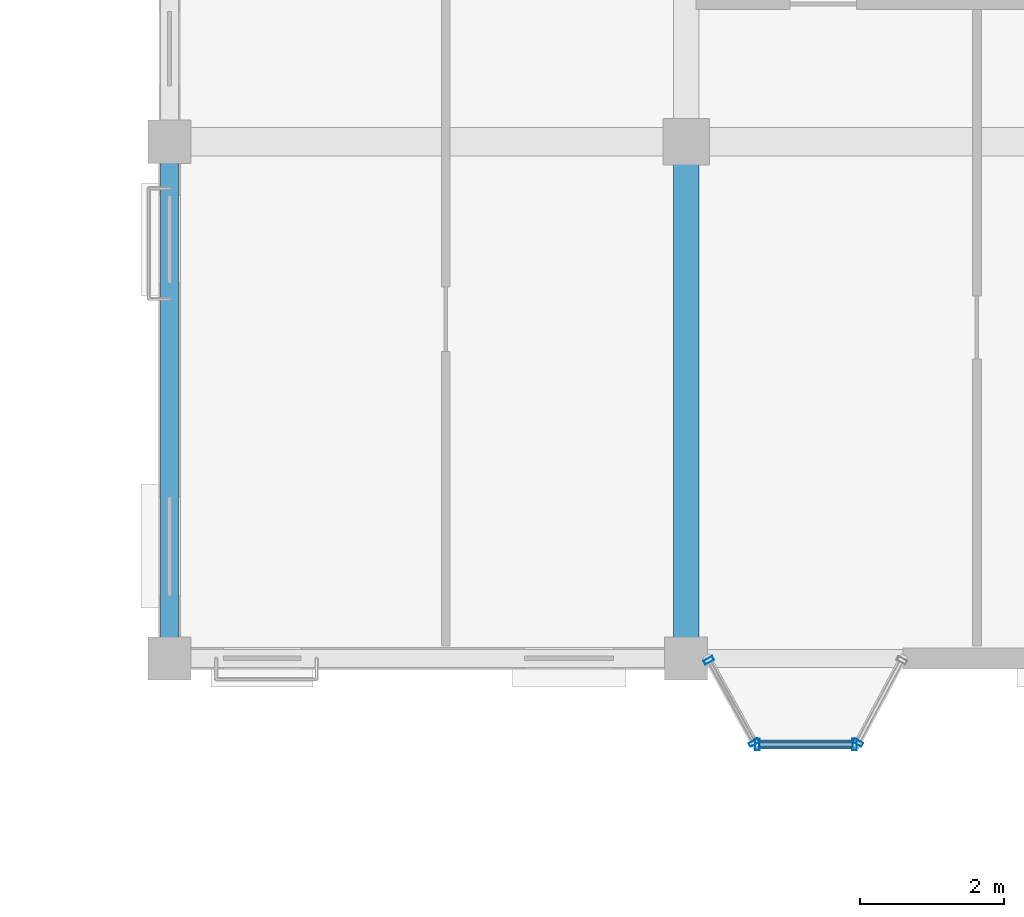
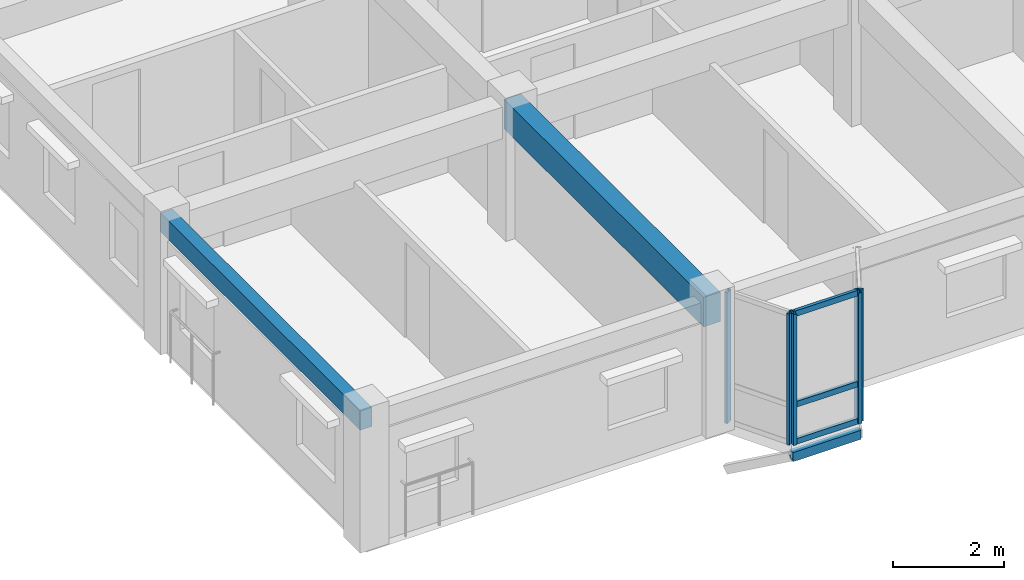
# One storey, part 57 of 124: 9 members, 2 beams, 3 elements without a shape of their own.
"""IFC4 building model written with IfcOpenShell, lengths in metres."""

from ifc_helpers import new_model, si_unit, direction, frame, origin, origin_2d, place, context, subcontext, project, spatial, rectangle, hollow_rectangle, extrude, material, layer, layer_set, material_profile, profile_set, type_object, element, aggregate, save


model = new_model("IFC4")

# Units and contexts
model_context = context("Model", 3, precision=1e-05, world=origin(), true_north=direction((0.0, 1.0)))
body_context = subcontext(model_context, "Body", "Model", "MODEL_VIEW")
ifc_project = project(units=[si_unit("LENGTHUNIT", "METRE"), si_unit("AREAUNIT", "SQUARE_METRE"), si_unit("VOLUMEUNIT", "CUBIC_METRE"), si_unit("PLANEANGLEUNIT", "RADIAN"), si_unit("MASSUNIT", "GRAM", prefix="KILO"), si_unit("THERMODYNAMICTEMPERATUREUNIT", "KELVIN"), si_unit("POWERUNIT", "WATT")], contexts=[model_context])

# Site, building, storey
site_placement = place(None, origin())
site = spatial("IfcSite", under=ifc_project, at=site_placement, CompositionType="ELEMENT")
building_placement = place(site_placement, origin())
building = spatial("IfcBuilding", under=site, at=building_placement, Name="Tavuni Mirador Residences", CompositionType="ELEMENT")
storey_placement = place(building_placement, frame((0.0, 0.0, 7.64990234375)))
storey = spatial("IfcBuildingStorey", under=building, at=storey_placement, Name="L02", CompositionType="ELEMENT", Elevation=7.64990234375)

# Beams
ifc_material_1 = material(Name="Precast concrete C40/50", Category="concrete")
ifc_material_profile_1 = material_profile(ifc_material_1, rectangle(XDim=0.35009765625, YDim=0.64990234375, at=origin_2d()), Name="PC 350x650", Category="concrete")
ifc_profile_set_1 = profile_set([ifc_material_profile_1], Name="Precast concrete C40/50")
beam_type_1 = type_object("IfcBeamType", Name="BT-B650", PredefinedType="BEAM", material=ifc_profile_set_1)
beam_1_placement = place(storey_placement, frame((18.0, 144.0, 2.56005859375), z_axis=(0.0, 1.0, 0.0), x_axis=(-1.0, 0.0, 0.0)))
element("IfcBeam", 1, at=beam_1_placement, inside=storey, type_object=beam_type_1, Name="BMY-BLK-C-L02-01-00", PredefinedType="BEAM", context=body_context, shape_type="SweptSolid", body=[
    extrude(rectangle(XDim=0.35009765625, YDim=0.64990234375, at=origin_2d()), origin(), (0.0, 0.0, 1.0), 7.199951171875),
])
ifc_material_profile_2 = material_profile(ifc_material_1, rectangle(XDim=0.25, YDim=0.419921875, at=origin_2d()), Name="PC 250x420", Category="concrete")
ifc_profile_set_2 = profile_set([ifc_material_profile_2], Name="Precast concrete C40/50")
beam_type_2 = type_object("IfcBeamType", Name="BT-SP420", PredefinedType="SPANDREL", material=ifc_profile_set_2)
beam_2_placement = place(storey_placement, frame((10.800048828125, 144.0, 2.675048828125), z_axis=(0.0, 1.0, 0.0), x_axis=(-1.0, 0.0, 0.0)))
element("IfcBeam", 2, at=beam_2_placement, inside=storey, type_object=beam_type_2, Name="BMY-BLK-C-L02-00-00", PredefinedType="SPANDREL", context=body_context, shape_type="SweptSolid", body=[
    extrude(rectangle(XDim=0.25, YDim=0.419921875, at=origin_2d()), origin(), (0.0, 0.0, 1.0), 7.199951171875),
])

# Curtain wall, members
ifc_material_2 = material(Name="Anodised aluminium", Category="aluminium")
ifc_layer_1 = layer(ifc_material_2, 0.1650390625, Name="Anodised aluminium", Category="aluminium")
ifc_layer_set_1 = layer_set([ifc_layer_1], Name="Anodised aluminium")
curtain_wall_type_1 = type_object("IfcCurtainWallType", Name="CWT-MIR-A", PredefinedType="NOTDEFINED", material=ifc_layer_set_1)
curtain_wall_1_placement = place(storey_placement, origin())
curtain_wall_1 = element("IfcCurtainWall", 3, at=curtain_wall_1_placement, inside=storey, type_object=curtain_wall_type_1, Name="CW-MIR-C-S1-L02-M1", PredefinedType="NOTDEFINED")
ifc_material_profile_3 = material_profile(ifc_material_2, hollow_rectangle(XDim=0.06005859375, YDim=0.139892578125, WallThickness=0.00390625, at=origin_2d()), Name="ALU 60x140x4.0", Category="aluminium")
ifc_profile_set_3 = profile_set([ifc_material_profile_3], Name="Anodised aluminium")
member_type_1 = type_object("IfcMemberType", Name="CWM-140", PredefinedType="MULLION", material=ifc_profile_set_3)
member_1_placement = place(storey_placement, frame((18.314453125, 143.9736328125, 0.0), z_axis=(0.0, 0.0, 1.0), x_axis=(0.481918749773, -0.876215908676, 0.0)))
member_1 = element("IfcMember", 4, at=member_1_placement, type_object=member_type_1, Name="CW-01 mullion 1", PredefinedType="MULLION", context=body_context, shape_type="SweptSolid", body=[
    extrude(hollow_rectangle(XDim=0.06005859375, YDim=0.139892578125, WallThickness=0.00390625, at=origin_2d()), origin(), (0.0, 0.0, 1.0), 2.885009765625),
])
member_2_placement = place(storey_placement, frame((18.945556640625, 142.826171875, 0.0), z_axis=(0.0, 0.0, 1.0), x_axis=(0.481918749773, -0.876215908676, 0.0)))
member_2 = element("IfcMember", 5, at=member_2_placement, type_object=member_type_1, Name="CW-01 mullion 2", PredefinedType="MULLION", context=body_context, shape_type="SweptSolid", body=[
    extrude(hollow_rectangle(XDim=0.06005859375, YDim=0.139892578125, WallThickness=0.00390625, at=origin_2d()), origin(), (0.0, 0.0, 1.0), 2.885009765625),
])
aggregate(curtain_wall_1, [member_1, member_2])

# Curtain wall, member
ifc_layer_2 = layer(ifc_material_2, 0.175048828125, Name="Anodised aluminium", Category="aluminium")
ifc_layer_set_2 = layer_set([ifc_layer_2], Name="Anodised aluminium")
curtain_wall_type_2 = type_object("IfcCurtainWallType", Name="CWT-MIR-C", PredefinedType="NOTDEFINED", material=ifc_layer_set_2)
curtain_wall_2_placement = place(storey_placement, origin())
curtain_wall_2 = element("IfcCurtainWall", 6, at=curtain_wall_2_placement, inside=storey, type_object=curtain_wall_type_2, Name="CW-MIR-C-S1-L02-M2", PredefinedType="NOTDEFINED")
member_3_placement = place(storey_placement, frame((20.39404296875, 142.826416015625, 0.0), z_axis=(0.0, 0.0, 1.0), x_axis=(0.470588235296, 0.882352941175, 0.0)))
member_3 = element("IfcMember", 7, at=member_3_placement, type_object=member_type_1, Name="CW-03 mullion 1", PredefinedType="MULLION", context=body_context, shape_type="SweptSolid", body=[
    extrude(hollow_rectangle(XDim=0.06005859375, YDim=0.139892578125, WallThickness=0.00390625, at=origin_2d()), origin(), (0.0, 0.0, 1.0), 2.885009765625),
])
aggregate(curtain_wall_2, [member_3])

# Curtain wall, members
ifc_layer_3 = layer(ifc_material_2, 0.14990234375, Name="Anodised aluminium", Category="aluminium")
ifc_layer_set_3 = layer_set([ifc_layer_3], Name="Anodised aluminium")
curtain_wall_type_3 = type_object("IfcCurtainWallType", Name="CWT-MIR-B", PredefinedType="NOTDEFINED", material=ifc_layer_set_3)
curtain_wall_3_placement = place(storey_placement, origin())
curtain_wall_3 = element("IfcCurtainWall", 8, at=curtain_wall_3_placement, inside=storey, type_object=curtain_wall_type_3, Name="CW-MIR-C-S1-L02-MF", PredefinedType="NOTDEFINED")
ifc_material_profile_4 = material_profile(ifc_material_2, hollow_rectangle(XDim=0.06494140625, YDim=0.1650390625, WallThickness=0.00439453125, at=origin_2d()), Name="ALU 65x165x4.5", Category="aluminium")
ifc_profile_set_4 = profile_set([ifc_material_profile_4], Name="Anodised aluminium")
member_type_2 = type_object("IfcMemberType", Name="CWM-165", PredefinedType="MULLION", material=ifc_profile_set_4)
member_4_placement = place(storey_placement, frame((18.992431640625, 142.800048828125, 0.0), z_axis=(0.0, 0.0, 1.0), x_axis=(1.0, 0.0, 0.0)))
member_4 = element("IfcMember", 9, at=member_4_placement, type_object=member_type_2, Name="CW-02 mullion 1", PredefinedType="MULLION", context=body_context, shape_type="SweptSolid", body=[
    extrude(hollow_rectangle(XDim=0.06494140625, YDim=0.1650390625, WallThickness=0.00439453125, at=origin_2d()), origin(), (0.0, 0.0, 1.0), 2.885009765625),
])
member_5_placement = place(storey_placement, frame((20.347412109375, 142.800048828125, 0.0), z_axis=(0.0, 0.0, 1.0), x_axis=(1.0, 0.0, 0.0)))
member_5 = element("IfcMember", 10, at=member_5_placement, type_object=member_type_2, Name="CW-02 mullion 2", PredefinedType="MULLION", context=body_context, shape_type="SweptSolid", body=[
    extrude(hollow_rectangle(XDim=0.06494140625, YDim=0.1650390625, WallThickness=0.00439453125, at=origin_2d()), origin(), (0.0, 0.0, 1.0), 2.885009765625),
])
ifc_material_profile_5 = material_profile(ifc_material_2, hollow_rectangle(XDim=0.06494140625, YDim=0.125, WallThickness=0.00439453125, at=origin_2d()), Name="ALU 65x125x4.5", Category="aluminium")
ifc_profile_set_5 = profile_set([ifc_material_profile_5], Name="Anodised aluminium")
member_type_3 = type_object("IfcMemberType", Name="CWT-125", PredefinedType="USERDEFINED", material=ifc_profile_set_5)
member_6_placement = place(storey_placement, frame((19.02490234375, 142.800048828125, 0.03271484375), z_axis=(1.0, 0.0, 0.0), x_axis=(0.0, 1.0, 0.0)))
member_6 = element("IfcMember", 11, at=member_6_placement, type_object=member_type_3, Name="CW-02 transom 1.1", ObjectType="TRANSOM", PredefinedType="USERDEFINED", context=body_context, shape_type="SweptSolid", body=[
    extrude(hollow_rectangle(XDim=0.06494140625, YDim=0.125, WallThickness=0.00439453125, at=origin_2d()), origin(), (0.0, 0.0, 1.0), 1.2900390625),
])
member_7_placement = place(storey_placement, frame((19.02490234375, 142.800048828125, 0.85009765625), z_axis=(1.0, 0.0, 0.0), x_axis=(0.0, 1.0, 0.0)))
member_7 = element("IfcMember", 12, at=member_7_placement, type_object=member_type_3, Name="CW-02 transom 1.2", ObjectType="TRANSOM", PredefinedType="USERDEFINED", context=body_context, shape_type="SweptSolid", body=[
    extrude(hollow_rectangle(XDim=0.06494140625, YDim=0.125, WallThickness=0.00439453125, at=origin_2d()), origin(), (0.0, 0.0, 1.0), 1.2900390625),
])
member_8_placement = place(storey_placement, frame((19.02490234375, 142.800048828125, 2.8525390625), z_axis=(1.0, 0.0, 0.0), x_axis=(0.0, 1.0, 0.0)))
member_8 = element("IfcMember", 13, at=member_8_placement, type_object=member_type_3, Name="CW-02 transom 1.3", ObjectType="TRANSOM", PredefinedType="USERDEFINED", context=body_context, shape_type="SweptSolid", body=[
    extrude(hollow_rectangle(XDim=0.06494140625, YDim=0.125, WallThickness=0.00439453125, at=origin_2d()), origin(), (0.0, 0.0, 1.0), 1.2900390625),
])
aggregate(curtain_wall_3, [member_4, member_5, member_6, member_7, member_8])

# Member
ifc_material_3 = material(Name="Structural steel S355", Category="steel")
ifc_material_profile_6 = material_profile(ifc_material_3, hollow_rectangle(XDim=0.1201171875, YDim=0.199951171875, WallThickness=0.010009765625, at=origin_2d()), Name="RHS 200x120x10.0", Category="steel")
ifc_profile_set_6 = profile_set([ifc_material_profile_6], Name="Structural steel S355")
member_type_4 = type_object("IfcMemberType", Name="MT-ST-RHS200", PredefinedType="STRUT", material=ifc_profile_set_6)
member_9_placement = place(storey_placement, frame((18.9599609375, 142.800048828125, -0.264892578125), z_axis=(1.0, 0.0, 0.0), x_axis=(0.0, 1.0, 0.0)))
element("IfcMember", 14, at=member_9_placement, inside=storey, type_object=member_type_4, Name="MRIM-MIR-C-S1-L02", PredefinedType="STRUT", context=body_context, shape_type="SweptSolid", body=[
    extrude(hollow_rectangle(XDim=0.1201171875, YDim=0.199951171875, WallThickness=0.010009765625, at=origin_2d()), origin(), (0.0, 0.0, 1.0), 1.419921875),
])

save(model, "model.ifc")
